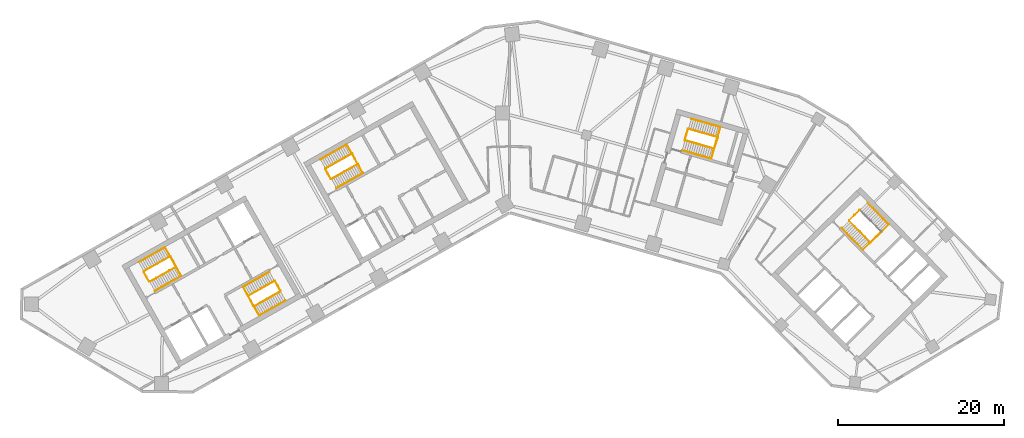
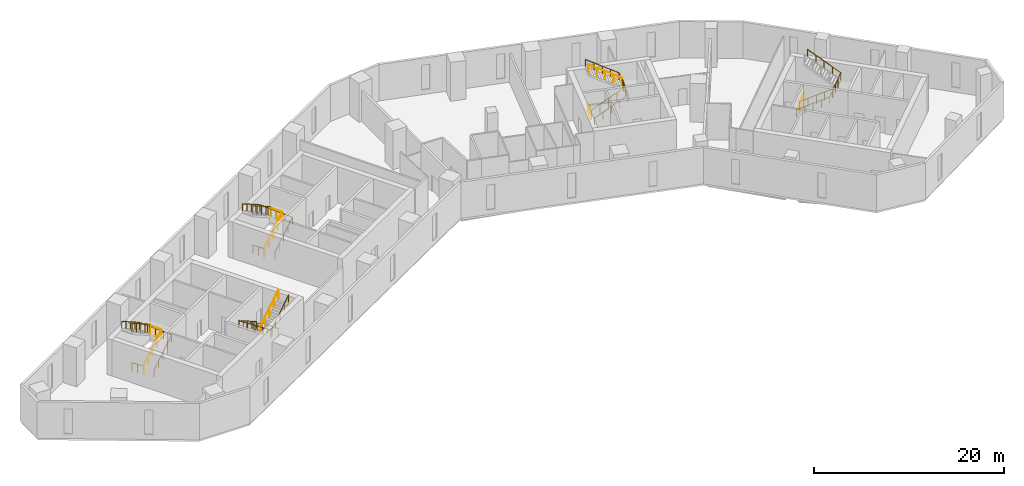
# One storey, part 9 of 10: 19 railings.
"""IFC4 building model written with IfcOpenShell, lengths in metres."""

from ifc_helpers import new_model, si_unit, direction, frame, origin, origin_2d, place, context, subcontext, project, spatial, circle, extrude, material, type_object, element, save


model = new_model("IFC4")

# Units and contexts
model_context = context("Model", 3, precision=1e-05, world=origin(), true_north=direction((0.0, 1.0)))
body_context = subcontext(model_context, "Body", "Model", "MODEL_VIEW")
ifc_project = project(units=[si_unit("LENGTHUNIT", "METRE"), si_unit("AREAUNIT", "SQUARE_METRE"), si_unit("VOLUMEUNIT", "CUBIC_METRE"), si_unit("PLANEANGLEUNIT", "RADIAN"), si_unit("MASSUNIT", "GRAM", prefix="KILO")], contexts=[model_context])

# Site, building, storey
site_placement = place(None, origin())
site = spatial("IfcSite", under=ifc_project, at=site_placement, CompositionType="ELEMENT")
building_placement = place(site_placement, origin())
building = spatial("IfcBuilding", under=site, at=building_placement, Name="Binnacle Exchange Tower", CompositionType="ELEMENT")
storey_placement = place(building_placement, frame((0.0, 0.0, 61.5)))
storey = spatial("IfcBuildingStorey", under=building, at=storey_placement, Name="L12", CompositionType="ELEMENT", Elevation=61.5)

# Railings
ifc_material_1 = material(Name="Steel guard rail", Category="steel")
railing_type_1 = type_object("IfcRailingType", Name="STAIR GUARD 1100", PredefinedType="GUARDRAIL", material=ifc_material_1)
railing_1_placement = place(storey_placement, frame((-43.26171875, 39.71728515625, 0.178466796875)))
element("IfcRailing", 1, at=railing_1_placement, inside=storey, type_object=railing_type_1, Name="L12 STA1 stair guard 1", PredefinedType="GUARDRAIL", context=body_context, shape_type="SweptSolid", body=[
    extrude(circle(Radius=0.02392578125, at=origin_2d()), frame((0.0, 0.0, 1.076171875), z_axis=(0.733795554141, 0.415191658331, 0.537735968274), x_axis=(-0.492450612189, 0.870340390052, 0.0)), (0.0, 0.0, 1.0), 4.317138671875),
    extrude(circle(Radius=0.02392578125, at=origin_2d()), frame((3.16796875, 1.79248046875, 3.3974609375), z_axis=(-0.460963092712, 0.887419307406, 0.0), x_axis=(-0.887419307406, -0.460963092712, 0.0)), (0.0, 0.0, 1.0), 1.40087890625),
    extrude(circle(Radius=0.02099609375, at=origin_2d()), origin(), (0.0, 0.0, 1.0), 1.052001953125),
    extrude(circle(Radius=0.02099609375, at=origin_2d()), frame((0.7919921875, 0.4482421875, 0.580322265625)), (0.0, 0.0, 1.0), 1.052001953125),
    extrude(circle(Radius=0.02099609375, at=origin_2d()), frame((1.583984375, 0.896240234375, 1.16064453125)), (0.0, 0.0, 1.0), 1.052001953125),
    extrude(circle(Radius=0.02099609375, at=origin_2d()), frame((2.3759765625, 1.34423828125, 1.7412109375)), (0.0, 0.0, 1.0), 1.052001953125),
    extrude(circle(Radius=0.02099609375, at=origin_2d()), frame((3.16796875, 1.79248046875, 2.321533203125)), (0.0, 0.0, 1.0), 1.052001953125),
    extrude(circle(Radius=0.02099609375, at=origin_2d()), frame((2.84521484375, 2.4140625, 2.321533203125)), (0.0, 0.0, 1.0), 1.052001953125),
    extrude(circle(Radius=0.02099609375, at=origin_2d()), frame((2.522216796875, 3.03564453125, 2.321533203125)), (0.0, 0.0, 1.0), 1.052001953125),
])
railing_2_placement = place(storey_placement, frame((-40.8076171875, 42.771728515625, 2.678466796875)))
element("IfcRailing", 2, at=railing_2_placement, inside=storey, type_object=railing_type_1, Name="L12 STA1 stair guard 2", PredefinedType="GUARDRAIL", context=body_context, shape_type="SweptSolid", body=[
    extrude(circle(Radius=0.02392578125, at=origin_2d()), frame((0.0, 0.0, 1.076171875), z_axis=(-0.733821652932, -0.415174429824, 0.537713654753), x_axis=(0.492421866095, -0.870356654361, 0.0)), (0.0, 0.0, 1.0), 4.3173828125),
    extrude(circle(Radius=0.02099609375, at=origin_2d()), origin(), (0.0, 0.0, 1.0), 1.052001953125),
    extrude(circle(Radius=0.02099609375, at=origin_2d()), frame((-0.7919921875, -0.4482421875, 0.580322265625)), (0.0, 0.0, 1.0), 1.052001953125),
    extrude(circle(Radius=0.02099609375, at=origin_2d()), frame((-1.583984375, -0.896240234375, 1.16064453125)), (0.0, 0.0, 1.0), 1.052001953125),
    extrude(circle(Radius=0.02099609375, at=origin_2d()), frame((-2.376220703125, -1.34423828125, 1.7412109375)), (0.0, 0.0, 1.0), 1.052001953125),
    extrude(circle(Radius=0.02099609375, at=origin_2d()), frame((-3.168212890625, -1.79248046875, 2.321533203125)), (0.0, 0.0, 1.0), 1.052001953125),
])
railing_3_placement = place(storey_placement, frame((-43.329833984375, 39.736328125, 0.0)))
element("IfcRailing", 3, at=railing_3_placement, inside=storey, type_object=railing_type_1, Name="L12 STA1 stair guard 3", PredefinedType="GUARDRAIL", context=body_context, shape_type="SweptSolid", body=[
    extrude(circle(Radius=0.02392578125, at=origin_2d()), frame((0.0, 0.0, 1.076171875), z_axis=(-0.4924922531, 0.870316827734, 0.0), x_axis=(-0.870316827734, -0.4924922531, 0.0)), (0.0, 0.0, 1.0), 1.349853515625),
    extrude(circle(Radius=0.02099609375, at=origin_2d()), origin(), (0.0, 0.0, 1.0), 1.052001953125),
    extrude(circle(Radius=0.02099609375, at=origin_2d()), frame((-0.33251953125, 0.58740234375, 0.0)), (0.0, 0.0, 1.0), 1.052001953125),
    extrude(circle(Radius=0.02099609375, at=origin_2d()), frame((-0.664794921875, 1.1748046875, 0.0)), (0.0, 0.0, 1.0), 1.052001953125),
])
railing_4_placement = place(storey_placement, frame((-28.265380859375, 39.814453125, 0.178466796875)))
element("IfcRailing", 4, at=railing_4_placement, inside=storey, type_object=railing_type_1, Name="L12 STA2 stair guard 1", PredefinedType="GUARDRAIL", context=body_context, shape_type="SweptSolid", body=[
    extrude(circle(Radius=0.02392578125, at=origin_2d()), frame((0.0, 0.0, 1.076171875), z_axis=(-0.733821652932, -0.415174429824, 0.537713654753), x_axis=(0.492421866095, -0.870356654361, 0.0)), (0.0, 0.0, 1.0), 4.3173828125),
    extrude(circle(Radius=0.02392578125, at=origin_2d()), frame((-3.168212890625, -1.79248046875, 3.3974609375), z_axis=(0.461100321709, -0.887348011391, 0.0), x_axis=(0.887348011391, 0.461100321709, 0.0)), (0.0, 0.0, 1.0), 1.40087890625),
    extrude(circle(Radius=0.02099609375, at=origin_2d()), origin(), (0.0, 0.0, 1.0), 1.052001953125),
    extrude(circle(Radius=0.02099609375, at=origin_2d()), frame((-0.7919921875, -0.4482421875, 0.580322265625)), (0.0, 0.0, 1.0), 1.052001953125),
    extrude(circle(Radius=0.02099609375, at=origin_2d()), frame((-1.583984375, -0.896240234375, 1.16064453125)), (0.0, 0.0, 1.0), 1.052001953125),
    extrude(circle(Radius=0.02099609375, at=origin_2d()), frame((-2.376220703125, -1.34423828125, 1.7412109375)), (0.0, 0.0, 1.0), 1.052001953125),
    extrude(circle(Radius=0.02099609375, at=origin_2d()), frame((-3.168212890625, -1.79248046875, 2.321533203125)), (0.0, 0.0, 1.0), 1.052001953125),
    extrude(circle(Radius=0.02099609375, at=origin_2d()), frame((-2.84521484375, -2.4140625, 2.321533203125)), (0.0, 0.0, 1.0), 1.052001953125),
    extrude(circle(Radius=0.02099609375, at=origin_2d()), frame((-2.522216796875, -3.03564453125, 2.321533203125)), (0.0, 0.0, 1.0), 1.052001953125),
])
railing_5_placement = place(storey_placement, frame((-30.719482421875, 36.760009765625, 2.678466796875)))
element("IfcRailing", 5, at=railing_5_placement, inside=storey, type_object=railing_type_1, Name="L12 STA2 stair guard 2", PredefinedType="GUARDRAIL", context=body_context, shape_type="SweptSolid", body=[
    extrude(circle(Radius=0.02392578125, at=origin_2d()), frame((0.0, 0.0, 1.076171875), z_axis=(0.733795554141, 0.415191658331, 0.537735968274), x_axis=(-0.492450612189, 0.870340390052, 0.0)), (0.0, 0.0, 1.0), 4.317138671875),
    extrude(circle(Radius=0.02099609375, at=origin_2d()), origin(), (0.0, 0.0, 1.0), 1.052001953125),
    extrude(circle(Radius=0.02099609375, at=origin_2d()), frame((0.7919921875, 0.4482421875, 0.580322265625)), (0.0, 0.0, 1.0), 1.052001953125),
    extrude(circle(Radius=0.02099609375, at=origin_2d()), frame((1.583984375, 0.896240234375, 1.16064453125)), (0.0, 0.0, 1.0), 1.052001953125),
    extrude(circle(Radius=0.02099609375, at=origin_2d()), frame((2.3759765625, 1.34423828125, 1.7412109375)), (0.0, 0.0, 1.0), 1.052001953125),
    extrude(circle(Radius=0.02099609375, at=origin_2d()), frame((3.16796875, 1.79248046875, 2.321533203125)), (0.0, 0.0, 1.0), 1.052001953125),
])
railing_6_placement = place(storey_placement, frame((-28.197265625, 39.795654296875, 0.0)))
element("IfcRailing", 6, at=railing_6_placement, inside=storey, type_object=railing_type_1, Name="L12 STA2 stair guard 3", PredefinedType="GUARDRAIL", context=body_context, shape_type="SweptSolid", body=[
    extrude(circle(Radius=0.02392578125, at=origin_2d()), frame((0.0, 0.0, 1.076171875), z_axis=(0.49241474071, -0.870360685654, 0.0), x_axis=(0.870360685654, 0.49241474071, 0.0)), (0.0, 0.0, 1.0), 1.35009765625),
    extrude(circle(Radius=0.02099609375, at=origin_2d()), origin(), (0.0, 0.0, 1.0), 1.052001953125),
    extrude(circle(Radius=0.02099609375, at=origin_2d()), frame((0.33251953125, -0.58740234375, 0.0)), (0.0, 0.0, 1.0), 1.052001953125),
    extrude(circle(Radius=0.02099609375, at=origin_2d()), frame((0.664794921875, -1.175048828125, 0.0)), (0.0, 0.0, 1.0), 1.052001953125),
])
railing_7_placement = place(storey_placement, frame((40.822509765625, 47.046875, 0.178466796875)))
element("IfcRailing", 7, at=railing_7_placement, inside=storey, type_object=railing_type_1, Name="L12 STB1 stair guard 1", PredefinedType="GUARDRAIL", context=body_context, shape_type="SweptSolid", body=[
    extrude(circle(Radius=0.02392578125, at=origin_2d()), frame((0.0, 0.0, 1.076171875), z_axis=(0.590946962671, -0.60135215321, 0.537733461056), x_axis=(0.713250539553, 0.700909172309, 0.0)), (0.0, 0.0, 1.0), 4.317138671875),
    extrude(circle(Radius=0.02392578125, at=origin_2d()), frame((2.55126953125, -2.59619140625, 3.3974609375), z_axis=(0.732527851538, 0.680737061369, 0.0), x_axis=(-0.680737061369, 0.732527851538, 0.0)), (0.0, 0.0, 1.0), 1.80078125),
    extrude(circle(Radius=0.02099609375, at=origin_2d()), origin(), (0.0, 0.0, 1.0), 1.052001953125),
    extrude(circle(Radius=0.02099609375, at=origin_2d()), frame((0.6376953125, -0.64892578125, 0.580322265625)), (0.0, 0.0, 1.0), 1.052001953125),
    extrude(circle(Radius=0.02099609375, at=origin_2d()), frame((1.275634765625, -1.298095703125, 1.16064453125)), (0.0, 0.0, 1.0), 1.052001953125),
    extrude(circle(Radius=0.02099609375, at=origin_2d()), frame((1.91357421875, -1.947265625, 1.7412109375)), (0.0, 0.0, 1.0), 1.052001953125),
    extrude(circle(Radius=0.02099609375, at=origin_2d()), frame((2.55126953125, -2.59619140625, 2.321533203125)), (0.0, 0.0, 1.0), 1.052001953125),
    extrude(circle(Radius=0.02099609375, at=origin_2d()), frame((3.2109375, -1.9833984375, 2.321533203125)), (0.0, 0.0, 1.0), 1.052001953125),
    extrude(circle(Radius=0.02099609375, at=origin_2d()), frame((3.870361328125, -1.370361328125, 2.321533203125)), (0.0, 0.0, 1.0), 1.052001953125),
])
railing_8_placement = place(storey_placement, frame((40.8232421875, 47.117431640625, 0.0)))
element("IfcRailing", 8, at=railing_8_placement, inside=storey, type_object=railing_type_1, Name="L12 STB1 stair guard 3", PredefinedType="GUARDRAIL", context=body_context, shape_type="SweptSolid", body=[
    extrude(circle(Radius=0.02392578125, at=origin_2d()), frame((0.0, 0.0, 1.076171875), z_axis=(0.713218950569, 0.700941316052, 0.0), x_axis=(-0.700941316052, 0.713218950569, 0.0)), (0.0, 0.0, 1.0), 1.75),
    extrude(circle(Radius=0.02099609375, at=origin_2d()), origin(), (0.0, 0.0, 1.0), 1.052001953125),
    extrude(circle(Radius=0.02099609375, at=origin_2d()), frame((0.6240234375, 0.61328125, 0.0)), (0.0, 0.0, 1.0), 1.052001953125),
    extrude(circle(Radius=0.02099609375, at=origin_2d()), frame((1.248046875, 1.2265625, 0.0)), (0.0, 0.0, 1.0), 1.052001953125),
])
railing_9_placement = place(storey_placement, frame((-21.423828125, 52.07275390625, 0.178466796875)))
element("IfcRailing", 9, at=railing_9_placement, inside=storey, type_object=railing_type_1, Name="L12 STC1 stair guard 1", PredefinedType="GUARDRAIL", context=body_context, shape_type="SweptSolid", body=[
    extrude(circle(Radius=0.02392578125, at=origin_2d()), frame((0.0, 0.0, 1.076171875), z_axis=(0.733838880464, 0.415127627455, 0.537726278364), x_axis=(-0.492371057291, 0.870385398511, 0.0)), (0.0, 0.0, 1.0), 4.3173828125),
    extrude(circle(Radius=0.02392578125, at=origin_2d()), frame((3.168212890625, 1.792236328125, 3.3974609375), z_axis=(-0.461100321709, 0.887348011391, 0.0), x_axis=(-0.887348011391, -0.461100321709, 0.0)), (0.0, 0.0, 1.0), 1.40087890625),
    extrude(circle(Radius=0.02099609375, at=origin_2d()), origin(), (0.0, 0.0, 1.0), 1.052001953125),
    extrude(circle(Radius=0.02099609375, at=origin_2d()), frame((0.7919921875, 0.447998046875, 0.580322265625)), (0.0, 0.0, 1.0), 1.052001953125),
    extrude(circle(Radius=0.02099609375, at=origin_2d()), frame((1.583984375, 0.89599609375, 1.16064453125)), (0.0, 0.0, 1.0), 1.052001953125),
    extrude(circle(Radius=0.02099609375, at=origin_2d()), frame((2.376220703125, 1.34423828125, 1.7412109375)), (0.0, 0.0, 1.0), 1.052001953125),
    extrude(circle(Radius=0.02099609375, at=origin_2d()), frame((3.168212890625, 1.792236328125, 2.321533203125)), (0.0, 0.0, 1.0), 1.052001953125),
    extrude(circle(Radius=0.02099609375, at=origin_2d()), frame((2.84521484375, 2.413818359375, 2.321533203125)), (0.0, 0.0, 1.0), 1.052001953125),
    extrude(circle(Radius=0.02099609375, at=origin_2d()), frame((2.522216796875, 3.035400390625, 2.321533203125)), (0.0, 0.0, 1.0), 1.052001953125),
])
railing_10_placement = place(storey_placement, frame((-18.9697265625, 55.126953125, 2.678466796875)))
element("IfcRailing", 10, at=railing_10_placement, inside=storey, type_object=railing_type_1, Name="L12 STC1 stair guard 2", PredefinedType="GUARDRAIL", context=body_context, shape_type="SweptSolid", body=[
    extrude(circle(Radius=0.02392578125, at=origin_2d()), frame((0.0, 0.0, 1.076171875), z_axis=(-0.733812782489, -0.415144854829, 0.537748593457), x_axis=(0.492399802317, -0.870369137021, 0.0)), (0.0, 0.0, 1.0), 4.317138671875),
    extrude(circle(Radius=0.02099609375, at=origin_2d()), origin(), (0.0, 0.0, 1.0), 1.052001953125),
    extrude(circle(Radius=0.02099609375, at=origin_2d()), frame((-0.7919921875, -0.447998046875, 0.580322265625)), (0.0, 0.0, 1.0), 1.052001953125),
    extrude(circle(Radius=0.02099609375, at=origin_2d()), frame((-1.583984375, -0.89599609375, 1.16064453125)), (0.0, 0.0, 1.0), 1.052001953125),
    extrude(circle(Radius=0.02099609375, at=origin_2d()), frame((-2.3759765625, -1.34423828125, 1.7412109375)), (0.0, 0.0, 1.0), 1.052001953125),
    extrude(circle(Radius=0.02099609375, at=origin_2d()), frame((-3.16796875, -1.792236328125, 2.321533203125)), (0.0, 0.0, 1.0), 1.052001953125),
])
railing_11_placement = place(storey_placement, frame((-21.491943359375, 52.091552734375, 0.0)))
element("IfcRailing", 11, at=railing_11_placement, inside=storey, type_object=railing_type_1, Name="L12 STC1 stair guard 3", PredefinedType="GUARDRAIL", context=body_context, shape_type="SweptSolid", body=[
    extrude(circle(Radius=0.02392578125, at=origin_2d()), frame((0.0, 0.0, 1.076171875), z_axis=(-0.49241474071, 0.870360685654, 0.0), x_axis=(-0.870360685654, -0.49241474071, 0.0)), (0.0, 0.0, 1.0), 1.35009765625),
    extrude(circle(Radius=0.02099609375, at=origin_2d()), origin(), (0.0, 0.0, 1.0), 1.052001953125),
    extrude(circle(Radius=0.02099609375, at=origin_2d()), frame((-0.33251953125, 0.58740234375, 0.0)), (0.0, 0.0, 1.0), 1.052001953125),
    extrude(circle(Radius=0.02099609375, at=origin_2d()), frame((-0.664794921875, 1.175048828125, 0.0)), (0.0, 0.0, 1.0), 1.052001953125),
])
railing_12_placement = place(storey_placement, frame((21.086669921875, 56.71044921875, 0.178466796875)))
element("IfcRailing", 12, at=railing_12_placement, inside=storey, type_object=railing_type_1, Name="L12 STD1 stair guard 1", PredefinedType="GUARDRAIL", context=body_context, shape_type="SweptSolid", body=[
    extrude(circle(Radius=0.02392578125, at=origin_2d()), frame((0.0, 0.0, 1.076171875), z_axis=(0.810455892038, -0.232415135102, 0.537721537635), x_axis=(0.275659984683, 0.961255206927, 0.0)), (0.0, 0.0, 1.0), 4.3173828125),
    extrude(circle(Radius=0.02392578125, at=origin_2d()), frame((3.4990234375, -1.00341796875, 3.3974609375), z_axis=(0.309684985722, 0.950839213337, 0.0), x_axis=(-0.950839213337, 0.309684985722, 0.0)), (0.0, 0.0, 1.0), 1.40087890625),
    extrude(circle(Radius=0.02099609375, at=origin_2d()), origin(), (0.0, 0.0, 1.0), 1.052001953125),
    extrude(circle(Radius=0.02099609375, at=origin_2d()), frame((0.874755859375, -0.2509765625, 0.580322265625)), (0.0, 0.0, 1.0), 1.052001953125),
    extrude(circle(Radius=0.02099609375, at=origin_2d()), frame((1.74951171875, -0.501708984375, 1.16064453125)), (0.0, 0.0, 1.0), 1.052001953125),
    extrude(circle(Radius=0.02099609375, at=origin_2d()), frame((2.624267578125, -0.75244140625, 1.7412109375)), (0.0, 0.0, 1.0), 1.052001953125),
    extrude(circle(Radius=0.02099609375, at=origin_2d()), frame((3.4990234375, -1.00341796875, 2.321533203125)), (0.0, 0.0, 1.0), 1.052001953125),
    extrude(circle(Radius=0.02099609375, at=origin_2d()), frame((3.7158203125, -0.33740234375, 2.321533203125)), (0.0, 0.0, 1.0), 1.052001953125),
    extrude(circle(Radius=0.02099609375, at=origin_2d()), frame((3.932861328125, 0.32861328125, 2.321533203125)), (0.0, 0.0, 1.0), 1.052001953125),
])
railing_13_placement = place(storey_placement, frame((24.9853515625, 57.100830078125, 2.678466796875)))
element("IfcRailing", 13, at=railing_13_placement, inside=storey, type_object=railing_type_1, Name="L12 STD1 stair guard 2", PredefinedType="GUARDRAIL", context=body_context, shape_type="SweptSolid", body=[
    extrude(circle(Radius=0.02392578125, at=origin_2d()), frame((0.0, 0.0, 1.076171875), z_axis=(-0.810455892038, 0.232415135102, 0.537721537635), x_axis=(-0.275659984683, -0.961255206927, 0.0)), (0.0, 0.0, 1.0), 4.3173828125),
    extrude(circle(Radius=0.02099609375, at=origin_2d()), origin(), (0.0, 0.0, 1.0), 1.052001953125),
    extrude(circle(Radius=0.02099609375, at=origin_2d()), frame((-0.874755859375, 0.2509765625, 0.580322265625)), (0.0, 0.0, 1.0), 1.052001953125),
    extrude(circle(Radius=0.02099609375, at=origin_2d()), frame((-1.74951171875, 0.501708984375, 1.16064453125)), (0.0, 0.0, 1.0), 1.052001953125),
    extrude(circle(Radius=0.02099609375, at=origin_2d()), frame((-2.624267578125, 0.75244140625, 1.7412109375)), (0.0, 0.0, 1.0), 1.052001953125),
    extrude(circle(Radius=0.02099609375, at=origin_2d()), frame((-3.4990234375, 1.00341796875, 2.321533203125)), (0.0, 0.0, 1.0), 1.052001953125),
])
railing_14_placement = place(storey_placement, frame((21.05224609375, 56.772216796875, 0.0)))
element("IfcRailing", 14, at=railing_14_placement, inside=storey, type_object=railing_type_1, Name="L12 STD1 stair guard 3", PredefinedType="GUARDRAIL", context=body_context, shape_type="SweptSolid", body=[
    extrude(circle(Radius=0.02392578125, at=origin_2d()), frame((0.0, 0.0, 1.076171875), z_axis=(0.275795817769, 0.961216243569, 0.0), x_axis=(-0.961216243569, 0.275795817769, 0.0)), (0.0, 0.0, 1.0), 1.349853515625),
    extrude(circle(Radius=0.02099609375, at=origin_2d()), origin(), (0.0, 0.0, 1.0), 1.052001953125),
    extrude(circle(Radius=0.02099609375, at=origin_2d()), frame((0.18603515625, 0.64892578125, 0.0)), (0.0, 0.0, 1.0), 1.052001953125),
    extrude(circle(Radius=0.02099609375, at=origin_2d()), frame((0.372314453125, 1.297607421875, 0.0)), (0.0, 0.0, 1.0), 1.052001953125),
])
ifc_material_2 = material(Name="Steel handrail", Category="steel")
railing_type_2 = type_object("IfcRailingType", Name="STAIR HANDRAIL 900", PredefinedType="HANDRAIL", material=ifc_material_2)
railing_15_placement = place(storey_placement, frame((-42.646240234375, 38.62939453125, 0.178466796875)))
element("IfcRailing", 15, at=railing_15_placement, inside=storey, type_object=railing_type_2, Name="L12 STA1 stair handrail 1", PredefinedType="HANDRAIL", context=body_context, shape_type="SweptSolid", body=[
    extrude(circle(Radius=0.02392578125, at=origin_2d()), frame((0.0, 0.0, 0.8759765625), z_axis=(0.733821652932, 0.415174429824, 0.537713654753), x_axis=(-0.492421866095, 0.870356654361, 0.0)), (0.0, 0.0, 1.0), 4.3173828125),
    extrude(circle(Radius=0.02392578125, at=origin_2d()), frame((3.168212890625, 1.79248046875, 3.197265625), z_axis=(-0.491985021148, 0.869432866815, 0.045135674003), x_axis=(-0.870319839224, -0.492486931251, 0.0)), (0.0, 0.0, 1.0), 3.9541015625),
    extrude(circle(Radius=0.02392578125, at=origin_2d()), frame((1.222900390625, 5.230224609375, 3.3759765625), z_axis=(-0.733812782489, -0.415144854829, 0.537748593457), x_axis=(0.492399802317, -0.870369137021, 0.0)), (0.0, 0.0, 1.0), 4.317138671875),
    extrude(circle(Radius=0.02099609375, at=origin_2d()), origin(), (0.0, 0.0, 1.0), 0.851806640625),
    extrude(circle(Radius=0.02099609375, at=origin_2d()), frame((0.7919921875, 0.4482421875, 0.580322265625)), (0.0, 0.0, 1.0), 0.851806640625),
    extrude(circle(Radius=0.02099609375, at=origin_2d()), frame((1.583984375, 0.896240234375, 1.16064453125)), (0.0, 0.0, 1.0), 0.851806640625),
    extrude(circle(Radius=0.02099609375, at=origin_2d()), frame((2.376220703125, 1.34423828125, 1.7412109375)), (0.0, 0.0, 1.0), 0.851806640625),
    extrude(circle(Radius=0.02099609375, at=origin_2d()), frame((3.168212890625, 1.79248046875, 2.321533203125)), (0.0, 0.0, 1.0), 0.851806640625),
    extrude(circle(Radius=0.02099609375, at=origin_2d()), frame((2.681884765625, 2.65185546875, 2.3662109375)), (0.0, 0.0, 1.0), 0.851806640625),
    extrude(circle(Radius=0.02099609375, at=origin_2d()), frame((2.195556640625, 3.51123046875, 2.41064453125)), (0.0, 0.0, 1.0), 0.851806640625),
    extrude(circle(Radius=0.02099609375, at=origin_2d()), frame((1.709228515625, 4.370849609375, 2.455322265625)), (0.0, 0.0, 1.0), 0.851806640625),
    extrude(circle(Radius=0.02099609375, at=origin_2d()), frame((1.222900390625, 5.230224609375, 2.5)), (0.0, 0.0, 1.0), 0.851806640625),
    extrude(circle(Radius=0.02099609375, at=origin_2d()), frame((0.430908203125, 4.7822265625, 3.080322265625)), (0.0, 0.0, 1.0), 0.851806640625),
    extrude(circle(Radius=0.02099609375, at=origin_2d()), frame((-0.361083984375, 4.333984375, 3.66064453125)), (0.0, 0.0, 1.0), 0.851806640625),
    extrude(circle(Radius=0.02099609375, at=origin_2d()), frame((-1.153076171875, 3.885986328125, 4.2412109375)), (0.0, 0.0, 1.0), 0.851806640625),
    extrude(circle(Radius=0.02099609375, at=origin_2d()), frame((-1.945068359375, 3.43798828125, 4.821533203125)), (0.0, 0.0, 1.0), 0.851806640625),
])
railing_16_placement = place(storey_placement, frame((-28.880859375, 40.90234375, 0.178466796875)))
element("IfcRailing", 16, at=railing_16_placement, inside=storey, type_object=railing_type_2, Name="L12 STA2 stair handrail 1", PredefinedType="HANDRAIL", context=body_context, shape_type="SweptSolid", body=[
    extrude(circle(Radius=0.02392578125, at=origin_2d()), frame((0.0, 0.0, 0.8759765625), z_axis=(-0.733838880464, -0.415127627455, 0.537726278364), x_axis=(0.492371057291, -0.870385398511, 0.0)), (0.0, 0.0, 1.0), 4.3173828125),
    extrude(circle(Radius=0.02392578125, at=origin_2d()), frame((-3.168212890625, -1.792236328125, 3.197265625), z_axis=(0.491911810019, -0.86947434526, 0.045134621956), x_axis=(0.870361318571, 0.492413622004, 0.0)), (0.0, 0.0, 1.0), 3.9541015625),
    extrude(circle(Radius=0.02392578125, at=origin_2d()), frame((-1.22314453125, -5.230224609375, 3.3759765625), z_axis=(0.733821652932, 0.415174429824, 0.537713654753), x_axis=(-0.492421866095, 0.870356654361, 0.0)), (0.0, 0.0, 1.0), 4.3173828125),
    extrude(circle(Radius=0.02099609375, at=origin_2d()), origin(), (0.0, 0.0, 1.0), 0.851806640625),
    extrude(circle(Radius=0.02099609375, at=origin_2d()), frame((-0.7919921875, -0.447998046875, 0.580322265625)), (0.0, 0.0, 1.0), 0.851806640625),
    extrude(circle(Radius=0.02099609375, at=origin_2d()), frame((-1.583984375, -0.89599609375, 1.16064453125)), (0.0, 0.0, 1.0), 0.851806640625),
    extrude(circle(Radius=0.02099609375, at=origin_2d()), frame((-2.376220703125, -1.34423828125, 1.7412109375)), (0.0, 0.0, 1.0), 0.851806640625),
    extrude(circle(Radius=0.02099609375, at=origin_2d()), frame((-3.168212890625, -1.792236328125, 2.321533203125)), (0.0, 0.0, 1.0), 0.851806640625),
    extrude(circle(Radius=0.02099609375, at=origin_2d()), frame((-2.681884765625, -2.65185546875, 2.3662109375)), (0.0, 0.0, 1.0), 0.851806640625),
    extrude(circle(Radius=0.02099609375, at=origin_2d()), frame((-2.19580078125, -3.51123046875, 2.41064453125)), (0.0, 0.0, 1.0), 0.851806640625),
    extrude(circle(Radius=0.02099609375, at=origin_2d()), frame((-1.70947265625, -4.37060546875, 2.455322265625)), (0.0, 0.0, 1.0), 0.851806640625),
    extrude(circle(Radius=0.02099609375, at=origin_2d()), frame((-1.22314453125, -5.230224609375, 2.5)), (0.0, 0.0, 1.0), 0.851806640625),
    extrude(circle(Radius=0.02099609375, at=origin_2d()), frame((-0.43115234375, -4.7822265625, 3.080322265625)), (0.0, 0.0, 1.0), 0.851806640625),
    extrude(circle(Radius=0.02099609375, at=origin_2d()), frame((0.36083984375, -4.333984375, 3.66064453125)), (0.0, 0.0, 1.0), 0.851806640625),
    extrude(circle(Radius=0.02099609375, at=origin_2d()), frame((1.153076171875, -3.8857421875, 4.2412109375)), (0.0, 0.0, 1.0), 0.851806640625),
    extrude(circle(Radius=0.02099609375, at=origin_2d()), frame((1.945068359375, -3.437744140625, 4.821533203125)), (0.0, 0.0, 1.0), 0.851806640625),
])
railing_17_placement = place(storey_placement, frame((39.930908203125, 46.170654296875, 0.178466796875)))
element("IfcRailing", 17, at=railing_17_placement, inside=storey, type_object=railing_type_2, Name="L12 STB1 stair handrail 1", PredefinedType="HANDRAIL", context=body_context, shape_type="SweptSolid", body=[
    extrude(circle(Radius=0.02392578125, at=origin_2d()), frame((0.0, 0.0, 0.8759765625), z_axis=(0.590983762497, -0.601332057257, 0.53771549111), x_axis=(0.713217009097, 0.700943291525, 0.0)), (0.0, 0.0, 1.0), 4.3173828125),
    extrude(circle(Radius=0.02392578125, at=origin_2d()), frame((2.551513671875, -2.59619140625, 3.197265625), z_axis=(0.712654164256, 0.700316745611, 0.040993877406), x_axis=(-0.700905928746, 0.713253726978, 0.0)), (0.0, 0.0, 1.0), 4.353515625),
    extrude(circle(Radius=0.02392578125, at=origin_2d()), frame((5.654052734375, 0.45263671875, 3.3759765625), z_axis=(-0.590926866753, 0.601388251475, 0.537715174732), x_axis=(-0.713283488215, -0.700875641922, 0.0)), (0.0, 0.0, 1.0), 4.3173828125),
    extrude(circle(Radius=0.02099609375, at=origin_2d()), origin(), (0.0, 0.0, 1.0), 0.851806640625),
    extrude(circle(Radius=0.02099609375, at=origin_2d()), frame((0.637939453125, -0.64892578125, 0.580322265625)), (0.0, 0.0, 1.0), 0.851806640625),
    extrude(circle(Radius=0.02099609375, at=origin_2d()), frame((1.27587890625, -1.298095703125, 1.16064453125)), (0.0, 0.0, 1.0), 0.851806640625),
    extrude(circle(Radius=0.02099609375, at=origin_2d()), frame((1.91357421875, -1.947265625, 1.7412109375)), (0.0, 0.0, 1.0), 0.851806640625),
    extrude(circle(Radius=0.02099609375, at=origin_2d()), frame((2.551513671875, -2.59619140625, 2.321533203125)), (0.0, 0.0, 1.0), 0.851806640625),
    extrude(circle(Radius=0.02099609375, at=origin_2d()), frame((3.3271484375, -1.833984375, 2.3662109375)), (0.0, 0.0, 1.0), 0.851806640625),
    extrude(circle(Radius=0.02099609375, at=origin_2d()), frame((4.102783203125, -1.07177734375, 2.41064453125)), (0.0, 0.0, 1.0), 0.851806640625),
    extrude(circle(Radius=0.02099609375, at=origin_2d()), frame((4.87841796875, -0.3095703125, 2.455322265625)), (0.0, 0.0, 1.0), 0.851806640625),
    extrude(circle(Radius=0.02099609375, at=origin_2d()), frame((5.654052734375, 0.45263671875, 2.5)), (0.0, 0.0, 1.0), 0.851806640625),
    extrude(circle(Radius=0.02099609375, at=origin_2d()), frame((5.01611328125, 1.101806640625, 3.080322265625)), (0.0, 0.0, 1.0), 0.851806640625),
    extrude(circle(Radius=0.02099609375, at=origin_2d()), frame((4.37841796875, 1.7509765625, 3.66064453125)), (0.0, 0.0, 1.0), 0.851806640625),
    extrude(circle(Radius=0.02099609375, at=origin_2d()), frame((3.74072265625, 2.39990234375, 4.2412109375)), (0.0, 0.0, 1.0), 0.851806640625),
    extrude(circle(Radius=0.02099609375, at=origin_2d()), frame((3.102783203125, 3.049072265625, 4.821533203125)), (0.0, 0.0, 1.0), 0.851806640625),
])
railing_18_placement = place(storey_placement, frame((-20.808349609375, 50.984619140625, 0.178466796875)))
element("IfcRailing", 18, at=railing_18_placement, inside=storey, type_object=railing_type_2, Name="L12 STC1 stair handrail 1", PredefinedType="HANDRAIL", context=body_context, shape_type="SweptSolid", body=[
    extrude(circle(Radius=0.02392578125, at=origin_2d()), frame((0.0, 0.0, 0.8759765625), z_axis=(0.733821652932, 0.415174429824, 0.537713654753), x_axis=(-0.492421866095, 0.870356654361, 0.0)), (0.0, 0.0, 1.0), 4.3173828125),
    extrude(circle(Radius=0.02392578125, at=origin_2d()), frame((3.168212890625, 1.79248046875, 3.197265625), z_axis=(-0.491911810019, 0.86947434526, 0.045134621956), x_axis=(-0.870361318571, -0.492413622004, 0.0)), (0.0, 0.0, 1.0), 3.9541015625),
    extrude(circle(Radius=0.02392578125, at=origin_2d()), frame((1.22314453125, 5.23046875, 3.3759765625), z_axis=(-0.733821652932, -0.415174429824, 0.537713654753), x_axis=(0.492421866095, -0.870356654361, 0.0)), (0.0, 0.0, 1.0), 4.3173828125),
    extrude(circle(Radius=0.02099609375, at=origin_2d()), origin(), (0.0, 0.0, 1.0), 0.851806640625),
    extrude(circle(Radius=0.02099609375, at=origin_2d()), frame((0.7919921875, 0.4482421875, 0.580322265625)), (0.0, 0.0, 1.0), 0.851806640625),
    extrude(circle(Radius=0.02099609375, at=origin_2d()), frame((1.583984375, 0.896240234375, 1.16064453125)), (0.0, 0.0, 1.0), 0.851806640625),
    extrude(circle(Radius=0.02099609375, at=origin_2d()), frame((2.376220703125, 1.34423828125, 1.7412109375)), (0.0, 0.0, 1.0), 0.851806640625),
    extrude(circle(Radius=0.02099609375, at=origin_2d()), frame((3.168212890625, 1.79248046875, 2.321533203125)), (0.0, 0.0, 1.0), 0.851806640625),
    extrude(circle(Radius=0.02099609375, at=origin_2d()), frame((2.681884765625, 2.65185546875, 2.3662109375)), (0.0, 0.0, 1.0), 0.851806640625),
    extrude(circle(Radius=0.02099609375, at=origin_2d()), frame((2.19580078125, 3.511474609375, 2.41064453125)), (0.0, 0.0, 1.0), 0.851806640625),
    extrude(circle(Radius=0.02099609375, at=origin_2d()), frame((1.70947265625, 4.37109375, 2.455322265625)), (0.0, 0.0, 1.0), 0.851806640625),
    extrude(circle(Radius=0.02099609375, at=origin_2d()), frame((1.22314453125, 5.23046875, 2.5)), (0.0, 0.0, 1.0), 0.851806640625),
    extrude(circle(Radius=0.02099609375, at=origin_2d()), frame((0.43115234375, 4.7822265625, 3.080322265625)), (0.0, 0.0, 1.0), 0.851806640625),
    extrude(circle(Radius=0.02099609375, at=origin_2d()), frame((-0.36083984375, 4.334228515625, 3.66064453125)), (0.0, 0.0, 1.0), 0.851806640625),
    extrude(circle(Radius=0.02099609375, at=origin_2d()), frame((-1.153076171875, 3.88623046875, 4.2412109375)), (0.0, 0.0, 1.0), 0.851806640625),
    extrude(circle(Radius=0.02099609375, at=origin_2d()), frame((-1.945068359375, 3.43798828125, 4.821533203125)), (0.0, 0.0, 1.0), 0.851806640625),
])
railing_19_placement = place(storey_placement, frame((20.7421875, 55.5087890625, 0.178466796875)))
element("IfcRailing", 19, at=railing_19_placement, inside=storey, type_object=railing_type_2, Name="L12 STD1 stair handrail 1", PredefinedType="HANDRAIL", context=body_context, shape_type="SweptSolid", body=[
    extrude(circle(Radius=0.02392578125, at=origin_2d()), frame((0.0, 0.0, 0.8759765625), z_axis=(0.810436485383, -0.2324257871, 0.537746182368), x_axis=(0.27567775811, 0.961250109848, 0.0)), (0.0, 0.0, 1.0), 4.317138671875),
    extrude(circle(Radius=0.02392578125, at=origin_2d()), frame((3.498779296875, -1.00341796875, 3.197265625), z_axis=(0.275370676617, 0.960278056821, 0.045133624351), x_axis=(-0.961257617982, 0.275651576943, 0.0)), (0.0, 0.0, 1.0), 3.9541015625),
    extrude(circle(Radius=0.02392578125, at=origin_2d()), frame((4.587646484375, 2.793701171875, 3.3759765625), z_axis=(-0.810466542589, 0.232361639932, 0.537728604067), x_axis=(-0.275598008994, -0.961272977587, 0.0)), (0.0, 0.0, 1.0), 4.3173828125),
    extrude(circle(Radius=0.02099609375, at=origin_2d()), origin(), (0.0, 0.0, 1.0), 0.851806640625),
    extrude(circle(Radius=0.02099609375, at=origin_2d()), frame((0.874755859375, -0.2509765625, 0.580322265625)), (0.0, 0.0, 1.0), 0.851806640625),
    extrude(circle(Radius=0.02099609375, at=origin_2d()), frame((1.74951171875, -0.501708984375, 1.16064453125)), (0.0, 0.0, 1.0), 0.851806640625),
    extrude(circle(Radius=0.02099609375, at=origin_2d()), frame((2.6240234375, -0.75244140625, 1.7412109375)), (0.0, 0.0, 1.0), 0.851806640625),
    extrude(circle(Radius=0.02099609375, at=origin_2d()), frame((3.498779296875, -1.00341796875, 2.321533203125)), (0.0, 0.0, 1.0), 0.851806640625),
    extrude(circle(Radius=0.02099609375, at=origin_2d()), frame((3.77099609375, -0.05419921875, 2.3662109375)), (0.0, 0.0, 1.0), 0.851806640625),
    extrude(circle(Radius=0.02099609375, at=origin_2d()), frame((4.043212890625, 0.89501953125, 2.41064453125)), (0.0, 0.0, 1.0), 0.851806640625),
    extrude(circle(Radius=0.02099609375, at=origin_2d()), frame((4.3154296875, 1.844482421875, 2.455322265625)), (0.0, 0.0, 1.0), 0.851806640625),
    extrude(circle(Radius=0.02099609375, at=origin_2d()), frame((4.587646484375, 2.793701171875, 2.5)), (0.0, 0.0, 1.0), 0.851806640625),
    extrude(circle(Radius=0.02099609375, at=origin_2d()), frame((3.712890625, 3.04443359375, 3.080322265625)), (0.0, 0.0, 1.0), 0.851806640625),
    extrude(circle(Radius=0.02099609375, at=origin_2d()), frame((2.838134765625, 3.29541015625, 3.66064453125)), (0.0, 0.0, 1.0), 0.851806640625),
    extrude(circle(Radius=0.02099609375, at=origin_2d()), frame((1.96337890625, 3.546142578125, 4.2412109375)), (0.0, 0.0, 1.0), 0.851806640625),
    extrude(circle(Radius=0.02099609375, at=origin_2d()), frame((1.088623046875, 3.796875, 4.821533203125)), (0.0, 0.0, 1.0), 0.851806640625),
])

save(model, "model.ifc")
